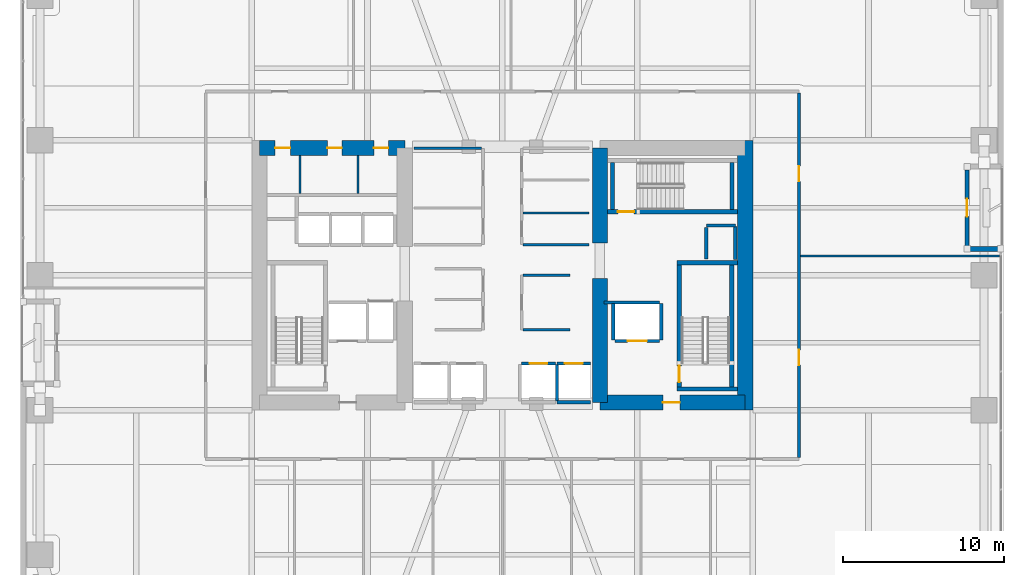
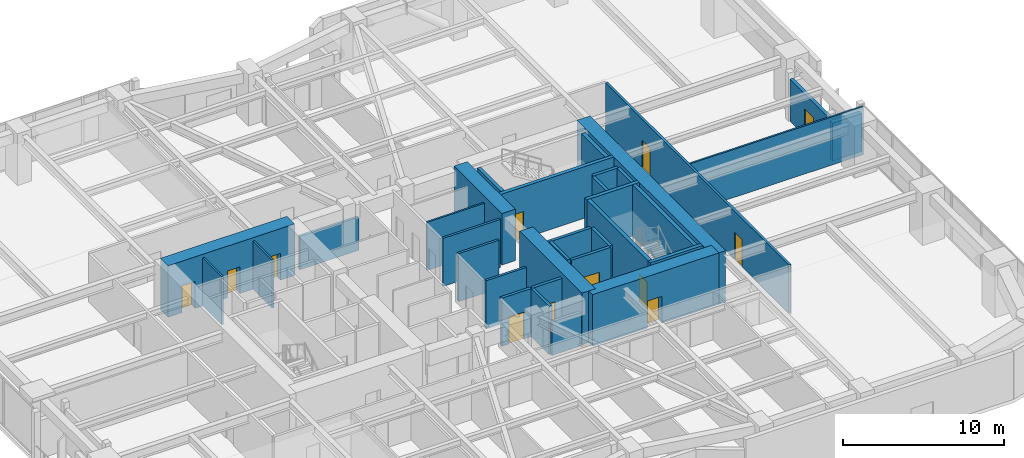
# One storey, part 24 of 28: 34 walls, 12 doors, 12 openings.
"""IFC4 building model written with IfcOpenShell, lengths in metres."""

from ifc_helpers import new_model, si_unit, direction, frame, frame_2d, origin, place, context, subcontext, project, spatial, rectangle, extrude, material, layer, layer_set, type_object, element, fill, save


model = new_model("IFC4")

# Units and contexts
model_context = context("Model", 3, precision=1e-05, world=origin(), true_north=direction((0.0, 1.0)))
body_context = subcontext(model_context, "Body", "Model", "MODEL_VIEW")
ifc_project = project(units=[si_unit("LENGTHUNIT", "METRE"), si_unit("AREAUNIT", "SQUARE_METRE"), si_unit("VOLUMEUNIT", "CUBIC_METRE"), si_unit("PLANEANGLEUNIT", "RADIAN"), si_unit("MASSUNIT", "GRAM", prefix="KILO")], contexts=[model_context])

# Site, building, storey
site_placement = place(None, origin())
site = spatial("IfcSite", under=ifc_project, at=site_placement, CompositionType="ELEMENT")
building_placement = place(site_placement, origin())
building = spatial("IfcBuilding", under=site, at=building_placement, Name="Kiyonajd Concourse Tower", CompositionType="ELEMENT")
storey_placement = place(building_placement, frame((0.0, 0.0, 60.60009765625)))
storey = spatial("IfcBuildingStorey", under=building, at=storey_placement, Name="L16", CompositionType="ELEMENT", Elevation=60.60009765625)

# Wall, openings, doors
ifc_material_1 = material(Name="Concrete C80/95", Category="concrete")
ifc_layer_1 = layer(ifc_material_1, 0.949951171875)
ifc_layer_set_1 = layer_set([ifc_layer_1], Name="Concrete C80/95")
wall_type_1 = type_object("IfcWallType", Name="WL-CORE-950", PredefinedType="SHEAR", material=ifc_layer_set_1)
wall_1_placement = place(storey_placement, frame((32.875, 43.925048828125, 0.0), z_axis=(0.0, 0.0, 1.0), x_axis=(1.0, 0.0, 0.0)))
wall_1 = element("IfcWall", 1, at=wall_1_placement, inside=storey, type_object=wall_type_1, Name="L16 West Core North Shear Wall", PredefinedType="SHEAR", context=body_context, shape_type="SweptSolid", body=[
    extrude(rectangle(XDim=9.050048828125, YDim=0.949951171875, at=frame_2d((4.52490234375, 0.0))), origin(), (0.0, 0.0, 1.0), 3.89990234375),
])
opening_1_placement = place(wall_1_placement, frame((0.97509765625, 0.0, 0.0)))
opening_1 = element("IfcOpeningElement", 2, at=opening_1_placement, cuts=wall_1, Name="Opening DI1", PredefinedType="OPENING", context=body_context, shape_type="SweptSolid", body=[
    extrude(rectangle(XDim=0.949951171875, YDim=2.0400390625, at=frame_2d((0.47509765625, 1.02001953125))), frame((0.0, 0.48486328125, 0.0), z_axis=(0.0, -1.0, 0.0), x_axis=(1.0, 0.0, 0.0)), (0.0, 0.0, 1.0), 0.969970703125),
])
opening_2_placement = place(wall_1_placement, frame((4.22509765625, 0.0, 0.0)))
opening_2 = element("IfcOpeningElement", 3, at=opening_2_placement, cuts=wall_1, Name="Opening DI2", PredefinedType="OPENING", context=body_context, shape_type="SweptSolid", body=[
    extrude(rectangle(XDim=0.89990234375, YDim=2.02001953125, at=frame_2d((0.449951171875, 1.010009765625))), frame((0.0, 0.48486328125, 0.0), z_axis=(0.0, -1.0, 0.0), x_axis=(1.0, 0.0, 0.0)), (0.0, 0.0, 1.0), 0.969970703125),
])
opening_3_placement = place(wall_1_placement, frame((7.125, 0.0, 0.0)))
opening_3 = element("IfcOpeningElement", 4, at=opening_3_placement, cuts=wall_1, Name="Opening DI2", PredefinedType="OPENING", context=body_context, shape_type="SweptSolid", body=[
    extrude(rectangle(XDim=0.89990234375, YDim=2.02001953125, at=frame_2d((0.449951171875, 1.010009765625))), frame((0.0, 0.48486328125, 0.0), z_axis=(0.0, -1.0, 0.0), x_axis=(1.0, 0.0, 0.0)), (0.0, 0.0, 1.0), 0.969970703125),
])
ifc_material_2 = material(Name="Natural Oak Acoustic Timber Veneer", Category="wood")
door_type_1 = type_object("IfcDoorType", Name="DR-INT-900", OperationType="NOTDEFINED", PredefinedType="DOOR", material=ifc_material_2)
door_1_placement = place(opening_2_placement, origin())
door_1 = element("IfcDoor", 5, at=door_1_placement, inside=storey, type_object=door_type_1, Name="L16 Male Restroom Door", OperationType="SINGLE_SWING_RIGHT", OverallHeight=2.02001953125, OverallWidth=0.89990234375, PredefinedType="DOOR", context=body_context, shape_type="SweptSolid", body=[
    extrude(rectangle(XDim=0.89990234375, YDim=2.02001953125, at=frame_2d((0.449951171875, 1.010009765625))), frame((0.0, 0.02490234375, 0.0), z_axis=(0.0, -1.0, 0.0), x_axis=(1.0, 0.0, 0.0)), (0.0, 0.0, 1.0), 0.050048828125),
])
fill(opening_2, door_1)
door_2_placement = place(opening_3_placement, origin())
door_2 = element("IfcDoor", 6, at=door_2_placement, inside=storey, type_object=door_type_1, Name="L16 Female Restroom Door", OperationType="SINGLE_SWING_LEFT", OverallHeight=2.02001953125, OverallWidth=0.89990234375, PredefinedType="DOOR", context=body_context, shape_type="SweptSolid", body=[
    extrude(rectangle(XDim=0.89990234375, YDim=2.02001953125, at=frame_2d((0.449951171875, 1.010009765625))), frame((0.0, 0.02490234375, 0.0), z_axis=(0.0, -1.0, 0.0), x_axis=(1.0, 0.0, 0.0)), (0.0, 0.0, 1.0), 0.050048828125),
])
fill(opening_3, door_2)
door_type_2 = type_object("IfcDoorType", Name="DR-INT-950", OperationType="NOTDEFINED", PredefinedType="DOOR", material=ifc_material_2)
door_3_placement = place(opening_1_placement, origin())
door_3 = element("IfcDoor", 7, at=door_3_placement, inside=storey, type_object=door_type_2, Name="L16 Single User Accessible WC Door", OperationType="SINGLE_SWING_LEFT", OverallHeight=2.0400390625, OverallWidth=0.949951171875, PredefinedType="DOOR", context=body_context, shape_type="SweptSolid", body=[
    extrude(rectangle(XDim=0.949951171875, YDim=2.0400390625, at=frame_2d((0.47509765625, 1.02001953125))), frame((0.0, 0.02490234375, 0.0), z_axis=(0.0, -1.0, 0.0), x_axis=(1.0, 0.0, 0.0)), (0.0, 0.0, 1.0), 0.050048828125),
])
fill(opening_1, door_3)

# Walls
wall_2_placement = place(storey_placement, frame((54.074951171875, 28.074951171875, 0.0), z_axis=(0.0, 0.0, 1.0), x_axis=(0.0, 1.0, 0.0)))
element("IfcWall", 8, at=wall_2_placement, inside=storey, type_object=wall_type_1, Name="L16 East Core Inner South Shear Wall", PredefinedType="SHEAR", context=body_context, shape_type="SweptSolid", body=[
    extrude(rectangle(XDim=7.72509765625, YDim=0.949951171875, at=frame_2d((3.862548828125, 0.0))), origin(), (0.0, 0.0, 1.0), 3.89990234375),
])
wall_3_placement = place(storey_placement, frame((54.074951171875, 38.0, 0.0), z_axis=(0.0, 0.0, 1.0), x_axis=(0.0, 1.0, 0.0)))
element("IfcWall", 9, at=wall_3_placement, inside=storey, type_object=wall_type_1, Name="L16 East Core Inner North Shear Wall", PredefinedType="SHEAR", context=body_context, shape_type="SweptSolid", body=[
    extrude(rectangle(XDim=5.925048828125, YDim=0.949951171875, at=frame_2d((2.96240234375, 0.0))), origin(), (0.0, 0.0, 1.0), 3.89990234375),
])
wall_4_placement = place(storey_placement, frame((63.125, 27.60009765625, 0.0), z_axis=(0.0, 0.0, 1.0), x_axis=(0.0, 1.0, 0.0)))
element("IfcWall", 10, at=wall_4_placement, inside=storey, type_object=wall_type_1, Name="L16 East Core Outer Shear Wall", PredefinedType="SHEAR", context=body_context, shape_type="SweptSolid", body=[
    extrude(rectangle(XDim=16.7998046875, YDim=0.949951171875, at=frame_2d((8.39990234375, 0.0))), origin(), (0.0, 0.0, 1.0), 3.89990234375),
])

# Wall, opening, door
wall_5_placement = place(storey_placement, frame((54.074951171875, 28.074951171875, 0.0), z_axis=(0.0, 0.0, 1.0), x_axis=(1.0, 0.0, 0.0)))
wall_5 = element("IfcWall", 11, at=wall_5_placement, inside=storey, type_object=wall_type_1, Name="L16 East Core South Shear Wall", PredefinedType="SHEAR", context=body_context, shape_type="SweptSolid", body=[
    extrude(rectangle(XDim=9.050048828125, YDim=0.949951171875, at=frame_2d((4.52490234375, 0.0))), origin(), (0.0, 0.0, 1.0), 3.89990234375),
])
opening_4_placement = place(wall_5_placement, frame((3.925048828125, 0.0, 0.0)))
opening_4 = element("IfcOpeningElement", 12, at=opening_4_placement, cuts=wall_5, Name="Opening DF5", PredefinedType="OPENING", context=body_context, shape_type="SweptSolid", body=[
    extrude(rectangle(XDim=1.050048828125, YDim=2.0400390625, at=frame_2d((0.52490234375, 1.02001953125))), frame((0.0, 0.48486328125, 0.0), z_axis=(0.0, -1.0, 0.0), x_axis=(1.0, 0.0, 0.0)), (0.0, 0.0, 1.0), 0.969970703125),
])
ifc_material_3 = material(Name="Brushed Stainless Steel Cab Assembly", Category="steel")
door_type_3 = type_object("IfcDoorType", Name="DR-FD45-1050", OperationType="NOTDEFINED", PredefinedType="DOOR", material=ifc_material_3)
door_4_placement = place(opening_4_placement, origin())
door_4 = element("IfcDoor", 13, at=door_4_placement, inside=storey, type_object=door_type_3, Name="L16 Firefighting Lift Lobby E Smoke Door", OperationType="SINGLE_SWING_RIGHT", OverallHeight=2.0400390625, OverallWidth=1.050048828125, PredefinedType="DOOR", context=body_context, shape_type="SweptSolid", body=[
    extrude(rectangle(XDim=1.050048828125, YDim=2.0400390625, at=frame_2d((0.52490234375, 1.02001953125))), frame((0.0, 0.02490234375, 0.0), z_axis=(0.0, -1.0, 0.0), x_axis=(1.0, 0.0, 0.0)), (0.0, 0.0, 1.0), 0.050048828125),
])
fill(opening_4, door_4)

# Wall
ifc_material_4 = material(Name="Precast concrete C50/60", Category="concrete")
ifc_layer_2 = layer(ifc_material_4, 0.320068359375)
ifc_layer_set_2 = layer_set([ifc_layer_2], Name="Precast concrete C50/60")
wall_type_2 = type_object("IfcWallType", Name="WL-EXT-320", PredefinedType="SOLIDWALL", material=ifc_layer_set_2)
wall_6_placement = place(storey_placement, frame((76.93994140625, 37.639892578125, 0.0), z_axis=(0.0, 0.0, 1.0), x_axis=(1.0, 0.0, 0.0)))
element("IfcWall", 14, at=wall_6_placement, inside=storey, type_object=wall_type_2, Name="L16 Exterior Concrete Frame Wall 23", PredefinedType="SOLIDWALL", context=body_context, shape_type="SweptSolid", body=[
    extrude(rectangle(XDim=2.10009765625, YDim=0.320068359375, at=frame_2d((1.050048828125, 0.0))), origin(), (0.0, 0.0, 1.0), 2.875),
])

# Wall, opening, door
ifc_layer_3 = layer(ifc_material_4, 0.239990234375)
ifc_layer_set_3 = layer_set([ifc_layer_3], Name="Precast concrete C50/60")
wall_type_3 = type_object("IfcWallType", Name="WL-LOG-240", PredefinedType="SOLIDWALL", material=ifc_layer_set_3)
wall_7_placement = place(storey_placement, frame((76.93994140625, 42.56494140625, 0.0), z_axis=(0.0, 0.0, 1.0), x_axis=(0.0, -1.0, 0.0)))
wall_7 = element("IfcWall", 15, at=wall_7_placement, inside=storey, type_object=wall_type_3, Name="L16 Recessed Loggia Thermal Wall LOG-E", PredefinedType="SOLIDWALL", context=body_context, shape_type="SweptSolid", body=[
    extrude(rectangle(XDim=4.72998046875, YDim=0.239990234375, at=frame_2d((2.364990234375, 0.0))), origin(), (0.0, 0.0, 1.0), 3.161865234375),
])
opening_5_placement = place(wall_7_placement, frame((1.81494140625, 0.0, 0.0)))
opening_5 = element("IfcOpeningElement", 16, at=opening_5_placement, cuts=wall_7, Name="Opening DL2", PredefinedType="OPENING", context=body_context, shape_type="SweptSolid", body=[
    extrude(rectangle(XDim=1.10009765625, YDim=2.0400390625, at=frame_2d((0.550048828125, 1.02001953125))), frame((0.0, 0.1298828125, 0.0), z_axis=(0.0, -1.0, 0.0), x_axis=(1.0, 0.0, 0.0)), (0.0, 0.0, 1.0), 0.260009765625),
])
ifc_material_5 = material(Name="Thermally Broken Anodised Aluminium", Category="aluminium")
door_type_4 = type_object("IfcDoorType", Name="DR-LOG-1100", OperationType="NOTDEFINED", PredefinedType="DOOR", material=ifc_material_5)
door_5_placement = place(opening_5_placement, origin())
door_5 = element("IfcDoor", 17, at=door_5_placement, inside=storey, type_object=door_type_4, Name="L16 Engawa Loggia Access Door LOG-E", OperationType="SINGLE_SWING_LEFT", OverallHeight=2.0400390625, OverallWidth=1.10009765625, PredefinedType="DOOR", context=body_context, shape_type="SweptSolid", body=[
    extrude(rectangle(XDim=1.10009765625, YDim=2.0400390625, at=frame_2d((0.550048828125, 1.02001953125))), frame((0.0, 0.02490234375, 0.0), z_axis=(0.0, -1.0, 0.0), x_axis=(1.0, 0.0, 0.0)), (0.0, 0.0, 1.0), 0.050048828125),
])
fill(opening_5, door_5)

# Walls
ifc_material_6 = material(Name="Gypsum Board on Cold-Formed Steel Stud", Category="steel")
ifc_layer_4 = layer(ifc_material_6, 0.125)
ifc_layer_set_4 = layer_set([ifc_layer_4], Name="Gypsum Board on Cold-Formed Steel Stud")
wall_type_4 = type_object("IfcWallType", Name="WL-PART-125", PredefinedType="PARTITIONING", material=ifc_layer_set_4)
for number, where, z_axis, x_axis, name in (
    (18, (35.39990234375, 41.094970703125, 0.0), (0.0, 0.0, 1.0), (0.0, 1.0, 0.0), "L16 Interior Partition Wall"),
    (19, (39.0, 41.094970703125, 0.0), (0.0, 0.0, 1.0), (0.0, 1.0, 0.0), "L16 Interior Partition Wall"),
):
    element("IfcWall", number, at=place(storey_placement, frame(where, z_axis=z_axis, x_axis=x_axis)), inside=storey, type_object=wall_type_4, Name=name, PredefinedType="PARTITIONING", context=body_context, shape_type="SweptSolid", body=[
        extrude(rectangle(XDim=2.35498046875, YDim=0.125, at=frame_2d((1.177490234375, 0.0))), origin(), (0.0, 0.0, 1.0), 3.639892578125),
    ])
wall_8_placement = place(storey_placement, frame((49.287109375, 39.8798828125, 0.0), z_axis=(0.0, 0.0, 1.0), x_axis=(1.0, 0.0, 0.0)))
element("IfcWall", 20, at=wall_8_placement, inside=storey, type_object=wall_type_4, Name="L16 Interior Partition Wall", PredefinedType="PARTITIONING", context=body_context, shape_type="SweptSolid", body=[
    extrude(rectangle(XDim=4.11279296875, YDim=0.125, at=frame_2d((2.056396484375, 0.0))), origin(), (0.0, 0.0, 1.0), 3.639892578125),
])
wall_9_placement = place(storey_placement, frame((66.56201171875, 37.199951171875, 0.0), z_axis=(0.0, 0.0, 1.0), x_axis=(1.0, 0.0, 0.0)))
element("IfcWall", 21, at=wall_9_placement, inside=storey, type_object=wall_type_4, Name="L16 Interior Partition Wall", PredefinedType="PARTITIONING", context=body_context, shape_type="SweptSolid", body=[
    extrude(rectangle(XDim=12.39306640625, YDim=0.125, at=frame_2d((6.196533203125, 0.0))), origin(), (0.0, 0.0, 1.0), 3.639892578125),
])
ifc_layer_5 = layer(ifc_material_6, 0.2099609375)
ifc_layer_set_5 = layer_set([ifc_layer_5], Name="Gypsum Board on Cold-Formed Steel Stud")
wall_type_5 = type_object("IfcWallType", Name="WL-SHAFT-210", PredefinedType="PARTITIONING", material=ifc_layer_set_5)
wall_10_placement = place(storey_placement, frame((60.719970703125, 39.10009765625, 0.0), z_axis=(0.0, 0.0, 1.0), x_axis=(1.0, 0.0, 0.0)))
element("IfcWall", 22, at=wall_10_placement, inside=storey, type_object=wall_type_5, Name="L16 Shaft Enclosure Wall", PredefinedType="PARTITIONING", context=body_context, shape_type="SweptSolid", body=[
    extrude(rectangle(XDim=1.800048828125, YDim=0.2099609375, at=frame_2d((0.89990234375, 0.0))), origin(), (0.0, 0.0, 1.0), 3.639892578125),
])
wall_11_placement = place(storey_placement, frame((60.699951171875, 37.02001953125, 0.0), z_axis=(0.0, 0.0, 1.0), x_axis=(0.0, 1.0, 0.0)))
element("IfcWall", 23, at=wall_11_placement, inside=storey, type_object=wall_type_5, Name="L16 Shaft Enclosure Wall", PredefinedType="PARTITIONING", context=body_context, shape_type="SweptSolid", body=[
    extrude(rectangle(XDim=1.9599609375, YDim=0.2099609375, at=frame_2d((0.97998046875, 0.0))), origin(), (0.0, 0.0, 1.0), 3.639892578125),
])
wall_12_placement = place(storey_placement, frame((62.5, 36.97998046875, 0.0), z_axis=(0.0, 0.0, 1.0), x_axis=(0.0, 1.0, 0.0)))
element("IfcWall", 24, at=wall_12_placement, inside=storey, type_object=wall_type_5, Name="L16 Shaft Enclosure Wall", PredefinedType="PARTITIONING", context=body_context, shape_type="SweptSolid", body=[
    extrude(rectangle(XDim=2.0400390625, YDim=0.2099609375, at=frame_2d((1.02001953125, 0.0))), origin(), (0.0, 0.0, 1.0), 3.639892578125),
])

# Wall, opening, door
wall_13_placement = place(storey_placement, frame((55.0, 31.89990234375, 0.0), z_axis=(0.0, 0.0, 1.0), x_axis=(1.0, 0.0, 0.0)))
wall_13 = element("IfcWall", 25, at=wall_13_placement, inside=storey, type_object=wall_type_5, Name="L16 Shaft Enclosure Wall", PredefinedType="PARTITIONING", context=body_context, shape_type="SweptSolid", body=[
    extrude(rectangle(XDim=2.800048828125, YDim=0.2099609375, at=frame_2d((1.39990234375, 0.0))), origin(), (0.0, 0.0, 1.0), 3.639892578125),
])
opening_6_placement = place(wall_13_placement, frame((0.800048828125, 0.0, 0.0)))
opening_6 = element("IfcOpeningElement", 26, at=opening_6_placement, cuts=wall_13, Name="Opening LD2", PredefinedType="OPENING", context=body_context, shape_type="SweptSolid", body=[
    extrude(rectangle(XDim=1.199951171875, YDim=2.0400390625, at=frame_2d((0.60009765625, 1.02001953125))), frame((0.0, 0.114990234375, 0.0), z_axis=(0.0, -1.0, 0.0), x_axis=(1.0, 0.0, 0.0)), (0.0, 0.0, 1.0), 0.22998046875),
])
door_type_5 = type_object("IfcDoorType", Name="DR-LD-1200", OperationType="DOUBLE_DOOR_SLIDING", PredefinedType="DOOR", material=ifc_material_3)
door_6_placement = place(opening_6_placement, origin())
door_6 = element("IfcDoor", 27, at=door_6_placement, inside=storey, type_object=door_type_5, Name="L16 Lift FFL2 Sliding Landing Door", OperationType="DOUBLE_DOOR_SLIDING", OverallHeight=2.0400390625, OverallWidth=1.199951171875, PredefinedType="DOOR", context=body_context, shape_type="SweptSolid", body=[
    extrude(rectangle(XDim=1.199951171875, YDim=2.0400390625, at=frame_2d((0.60009765625, 1.02001953125))), frame((0.0, 0.02490234375, 0.0), z_axis=(0.0, -1.0, 0.0), x_axis=(1.0, 0.0, 0.0)), (0.0, 0.0, 1.0), 0.050048828125),
])
fill(opening_6, door_6)

# Walls
wall_14_placement = place(storey_placement, frame((54.320068359375, 34.300048828125, 0.0), z_axis=(0.0, 0.0, 1.0), x_axis=(1.0, 0.0, 0.0)))
element("IfcWall", 28, at=wall_14_placement, inside=storey, type_object=wall_type_5, Name="L16 Shaft Enclosure Wall", PredefinedType="PARTITIONING", context=body_context, shape_type="SweptSolid", body=[
    extrude(rectangle(XDim=3.47998046875, YDim=0.2099609375, at=frame_2d((1.739990234375, 0.0))), origin(), (0.0, 0.0, 1.0), 3.639892578125),
])
for number, where, z_axis, x_axis, name in (
    (29, (54.89990234375, 31.9599609375, 0.0), (0.0, 0.0, 1.0), (0.0, 1.0, 0.0), "L16 Shaft Enclosure Wall"),
    (30, (57.89990234375, 31.9599609375, 0.0), (0.0, 0.0, 1.0), (0.0, 1.0, 0.0), "L16 Shaft Enclosure Wall"),
):
    element("IfcWall", number, at=place(storey_placement, frame(where, z_axis=z_axis, x_axis=x_axis)), inside=storey, type_object=wall_type_5, Name=name, PredefinedType="PARTITIONING", context=body_context, shape_type="SweptSolid", body=[
        extrude(rectangle(XDim=2.280029296875, YDim=0.2099609375, at=frame_2d((1.14013671875, 0.0))), origin(), (0.0, 0.0, 1.0), 3.639892578125),
    ])

# Wall, opening, door
wall_15_placement = place(storey_placement, frame((49.199951171875, 30.5, 0.0), z_axis=(0.0, 0.0, 1.0), x_axis=(1.0, 0.0, 0.0)))
wall_15 = element("IfcWall", 31, at=wall_15_placement, inside=storey, type_object=wall_type_5, Name="L16 Shaft Enclosure Wall", PredefinedType="PARTITIONING", context=body_context, shape_type="SweptSolid", body=[
    extrude(rectangle(XDim=2.10009765625, YDim=0.2099609375, at=frame_2d((1.050048828125, 0.0))), origin(), (0.0, 0.0, 1.0), 3.639892578125),
])
opening_7_placement = place(wall_15_placement, frame((0.5, 0.0, 0.0)))
opening_7 = element("IfcOpeningElement", 32, at=opening_7_placement, cuts=wall_15, Name="Opening LD1", PredefinedType="OPENING", context=body_context, shape_type="SweptSolid", body=[
    extrude(rectangle(XDim=1.10009765625, YDim=2.0400390625, at=frame_2d((0.550048828125, 1.02001953125))), frame((0.0, 0.114990234375, 0.0), z_axis=(0.0, -1.0, 0.0), x_axis=(1.0, 0.0, 0.0)), (0.0, 0.0, 1.0), 0.22998046875),
])
door_type_6 = type_object("IfcDoorType", Name="DR-LD-1100", OperationType="DOUBLE_DOOR_SLIDING", PredefinedType="DOOR", material=ifc_material_3)
door_7_placement = place(opening_7_placement, origin())
door_7 = element("IfcDoor", 33, at=door_7_placement, inside=storey, type_object=door_type_6, Name="L16 Lift PL-L3 Sliding Landing Door", OperationType="DOUBLE_DOOR_SLIDING", OverallHeight=2.0400390625, OverallWidth=1.10009765625, PredefinedType="DOOR", context=body_context, shape_type="SweptSolid", body=[
    extrude(rectangle(XDim=1.10009765625, YDim=2.0400390625, at=frame_2d((0.550048828125, 1.02001953125))), frame((0.0, 0.02490234375, 0.0), z_axis=(0.0, -1.0, 0.0), x_axis=(1.0, 0.0, 0.0)), (0.0, 0.0, 1.0), 0.050048828125),
])
fill(opening_7, door_7)

# Wall
wall_16_placement = place(storey_placement, frame((51.39990234375, 28.159912109375, 0.0), z_axis=(0.0, 0.0, 1.0), x_axis=(0.0, 1.0, 0.0)))
element("IfcWall", 34, at=wall_16_placement, inside=storey, type_object=wall_type_5, Name="L16 Shaft Enclosure Wall", PredefinedType="PARTITIONING", context=body_context, shape_type="SweptSolid", body=[
    extrude(rectangle(XDim=2.280029296875, YDim=0.2099609375, at=frame_2d((1.14013671875, 0.0))), origin(), (0.0, 0.0, 1.0), 3.639892578125),
])

# Wall, opening, door
wall_17_placement = place(storey_placement, frame((51.39990234375, 30.5, 0.0), z_axis=(0.0, 0.0, 1.0), x_axis=(1.0, 0.0, 0.0)))
wall_17 = element("IfcWall", 35, at=wall_17_placement, inside=storey, type_object=wall_type_5, Name="L16 Shaft Enclosure Wall", PredefinedType="PARTITIONING", context=body_context, shape_type="SweptSolid", body=[
    extrude(rectangle(XDim=2.10009765625, YDim=0.2099609375, at=frame_2d((1.050048828125, 0.0))), origin(), (0.0, 0.0, 1.0), 3.639892578125),
])
opening_8_placement = place(wall_17_placement, frame((0.5, 0.0, 0.0)))
opening_8 = element("IfcOpeningElement", 36, at=opening_8_placement, cuts=wall_17, Name="Opening LD1", PredefinedType="OPENING", context=body_context, shape_type="SweptSolid", body=[
    extrude(rectangle(XDim=1.10009765625, YDim=2.0400390625, at=frame_2d((0.550048828125, 1.02001953125))), frame((0.0, 0.114990234375, 0.0), z_axis=(0.0, -1.0, 0.0), x_axis=(1.0, 0.0, 0.0)), (0.0, 0.0, 1.0), 0.22998046875),
])
door_8_placement = place(opening_8_placement, origin())
door_8 = element("IfcDoor", 37, at=door_8_placement, inside=storey, type_object=door_type_6, Name="L16 Lift PL-L4 Sliding Landing Door", OperationType="DOUBLE_DOOR_SLIDING", OverallHeight=2.0400390625, OverallWidth=1.10009765625, PredefinedType="DOOR", context=body_context, shape_type="SweptSolid", body=[
    extrude(rectangle(XDim=1.10009765625, YDim=2.0400390625, at=frame_2d((0.550048828125, 1.02001953125))), frame((0.0, 0.02490234375, 0.0), z_axis=(0.0, -1.0, 0.0), x_axis=(1.0, 0.0, 0.0)), (0.0, 0.0, 1.0), 0.050048828125),
])
fill(opening_8, door_8)

# Walls
wall_18_placement = place(storey_placement, frame((51.39990234375, 28.10009765625, 0.0), z_axis=(0.0, 0.0, 1.0), x_axis=(1.0, 0.0, 0.0)))
element("IfcWall", 38, at=wall_18_placement, inside=storey, type_object=wall_type_5, Name="L16 Shaft Enclosure Wall", PredefinedType="PARTITIONING", context=body_context, shape_type="SweptSolid", body=[
    extrude(rectangle(XDim=2.10009765625, YDim=0.2099609375, at=frame_2d((1.050048828125, 0.0))), origin(), (0.0, 0.0, 1.0), 2.52490234375),
])
ifc_layer_6 = layer(ifc_material_6, 0.169921875)
ifc_layer_set_6 = layer_set([ifc_layer_6], Name="Gypsum Board on Cold-Formed Steel Stud")
wall_type_6 = type_object("IfcWallType", Name="WL-SMK-170", PredefinedType="PARTITIONING", material=ifc_layer_set_6)
for number, where, z_axis, x_axis, name in (
    (39, (49.287109375, 32.60009765625, 0.0), (0.0, 0.0, 1.0), (1.0, 0.0, 0.0), "L16 Interior Partition Wall"),
    (40, (49.287109375, 36.0, 0.0), (0.0, 0.0, 1.0), (1.0, 0.0, 0.0), "L16 Interior Partition Wall"),
):
    element("IfcWall", number, at=place(storey_placement, frame(where, z_axis=z_axis, x_axis=x_axis)), inside=storey, type_object=wall_type_6, Name=name, PredefinedType="PARTITIONING", context=body_context, shape_type="SweptSolid", body=[
        extrude(rectangle(XDim=2.912841796875, YDim=0.169921875, at=frame_2d((1.45654296875, 0.0))), origin(), (0.0, 0.0, 1.0), 3.639892578125),
    ])
wall_19_placement = place(storey_placement, frame((42.5, 43.89990234375, 0.0), z_axis=(0.0, 0.0, 1.0), x_axis=(1.0, 0.0, 0.0)))
element("IfcWall", 41, at=wall_19_placement, inside=storey, type_object=wall_type_6, Name="L16 Interior Partition Wall", PredefinedType="PARTITIONING", context=body_context, shape_type="SweptSolid", body=[
    extrude(rectangle(XDim=4.212890625, YDim=0.169921875, at=frame_2d((2.1064453125, 0.0))), origin(), (0.0, 0.0, 1.0), 2.52490234375),
])
wall_20_placement = place(storey_placement, frame((49.287109375, 37.89990234375, 0.0), z_axis=(0.0, 0.0, 1.0), x_axis=(1.0, 0.0, 0.0)))
element("IfcWall", 42, at=wall_20_placement, inside=storey, type_object=wall_type_6, Name="L16 Interior Partition Wall", PredefinedType="PARTITIONING", context=body_context, shape_type="SweptSolid", body=[
    extrude(rectangle(XDim=4.11279296875, YDim=0.169921875, at=frame_2d((2.056396484375, 0.0))), origin(), (0.0, 0.0, 1.0), 3.639892578125),
])

# Wall, openings, doors
wall_21_placement = place(storey_placement, frame((66.47509765625, 24.64697265625, 0.0), z_axis=(0.0, 0.0, 1.0), x_axis=(0.0, 1.0, 0.0)))
wall_21 = element("IfcWall", 43, at=wall_21_placement, inside=storey, type_object=wall_type_6, Name="L16 Interior Partition Wall", PredefinedType="PARTITIONING", context=body_context, shape_type="SweptSolid", body=[
    extrude(rectangle(XDim=22.7060546875, YDim=0.169921875, at=frame_2d((11.35302734375, 0.0))), origin(), (0.0, 0.0, 1.0), 3.639892578125),
])
opening_9_placement = place(wall_21_placement, frame((5.758056640625, 0.0, 0.0)))
opening_9 = element("IfcOpeningElement", 44, at=opening_9_placement, cuts=wall_21, Name="Opening DI1", PredefinedType="OPENING", context=body_context, shape_type="SweptSolid", body=[
    extrude(rectangle(XDim=0.949951171875, YDim=2.0400390625, at=frame_2d((0.47509765625, 1.02001953125))), frame((0.0, 0.094970703125, 0.0), z_axis=(0.0, -1.0, 0.0), x_axis=(1.0, 0.0, 0.0)), (0.0, 0.0, 1.0), 0.18994140625),
])
opening_10_placement = place(wall_21_placement, frame((17.197998046875, 0.0, 0.0)))
opening_10 = element("IfcOpeningElement", 45, at=opening_10_placement, cuts=wall_21, Name="Opening DI1", PredefinedType="OPENING", context=body_context, shape_type="SweptSolid", body=[
    extrude(rectangle(XDim=0.949951171875, YDim=2.0400390625, at=frame_2d((0.47509765625, 1.02001953125))), frame((0.0, 0.094970703125, 0.0), z_axis=(0.0, -1.0, 0.0), x_axis=(1.0, 0.0, 0.0)), (0.0, 0.0, 1.0), 0.18994140625),
])
door_9_placement = place(opening_9_placement, origin())
door_9 = element("IfcDoor", 46, at=door_9_placement, inside=storey, type_object=door_type_2, Name="L16 Interior Door", OperationType="SINGLE_SWING_LEFT", OverallHeight=2.0400390625, OverallWidth=0.949951171875, PredefinedType="DOOR", context=body_context, shape_type="SweptSolid", body=[
    extrude(rectangle(XDim=0.949951171875, YDim=2.0400390625, at=frame_2d((0.47509765625, 1.02001953125))), frame((0.0, 0.02490234375, 0.0), z_axis=(0.0, -1.0, 0.0), x_axis=(1.0, 0.0, 0.0)), (0.0, 0.0, 1.0), 0.050048828125),
])
fill(opening_9, door_9)
door_10_placement = place(opening_10_placement, origin())
door_10 = element("IfcDoor", 47, at=door_10_placement, inside=storey, type_object=door_type_2, Name="L16 Interior Door", OperationType="SINGLE_SWING_RIGHT", OverallHeight=2.0400390625, OverallWidth=0.949951171875, PredefinedType="DOOR", context=body_context, shape_type="SweptSolid", body=[
    extrude(rectangle(XDim=0.949951171875, YDim=2.0400390625, at=frame_2d((0.47509765625, 1.02001953125))), frame((0.0, 0.02490234375, 0.0), z_axis=(0.0, -1.0, 0.0), x_axis=(1.0, 0.0, 0.0)), (0.0, 0.0, 1.0), 0.050048828125),
])
fill(opening_10, door_10)

# Walls
ifc_material_7 = material(Name="Concrete C50/60", Category="concrete")
ifc_layer_7 = layer(ifc_material_7, 0.260009765625)
ifc_layer_set_7 = layer_set([ifc_layer_7], Name="Concrete C50/60")
wall_type_7 = type_object("IfcWallType", Name="WL-STAIR-260", PredefinedType="SHEAR", material=ifc_layer_set_7)
for number, where, z_axis, x_axis, name in (
    (48, (58.889892578125, 28.919921875, 0.0), (0.0, 0.0, 1.0), (1.0, 0.0, 0.0), "L16 Stair ST2 Structural South Wall"),
    (49, (58.889892578125, 36.780029296875, 0.0), (0.0, 0.0, 1.0), (1.0, 0.0, 0.0), "L16 Stair ST2 Structural North Wall"),
):
    element("IfcWall", number, at=place(storey_placement, frame(where, z_axis=z_axis, x_axis=x_axis)), inside=storey, type_object=wall_type_7, Name=name, PredefinedType="SHEAR", context=body_context, shape_type="SweptSolid", body=[
        extrude(rectangle(XDim=3.760009765625, YDim=0.260009765625, at=frame_2d((1.8798828125, 0.0))), origin(), (0.0, 0.0, 1.0), 3.89990234375),
    ])

# Wall, opening, door
wall_22_placement = place(storey_placement, frame((59.02001953125, 29.050048828125, 0.0), z_axis=(0.0, 0.0, 1.0), x_axis=(0.0, 1.0, 0.0)))
wall_22 = element("IfcWall", 50, at=wall_22_placement, inside=storey, type_object=wall_type_7, Name="L16 Stair ST2 Structural West Wall", PredefinedType="SHEAR", context=body_context, shape_type="SweptSolid", body=[
    extrude(rectangle(XDim=7.599853515625, YDim=0.260009765625, at=frame_2d((3.7998046875, 0.0))), origin(), (0.0, 0.0, 1.0), 3.89990234375),
])
opening_11_placement = place(wall_22_placement, frame((0.300048828125, 0.0, 0.0)))
opening_11 = element("IfcOpeningElement", 51, at=opening_11_placement, cuts=wall_22, Name="Opening DF1", PredefinedType="OPENING", context=body_context, shape_type="SweptSolid", body=[
    extrude(rectangle(XDim=1.0, YDim=2.0400390625, at=frame_2d((0.5, 1.02001953125))), frame((0.0, 0.139892578125, 0.0), z_axis=(0.0, -1.0, 0.0), x_axis=(1.0, 0.0, 0.0)), (0.0, 0.0, 1.0), 0.280029296875),
])
door_type_7 = type_object("IfcDoorType", Name="DR-FD90-1000", OperationType="NOTDEFINED", PredefinedType="DOOR", material=ifc_material_3)
door_11_placement = place(opening_11_placement, origin())
door_11 = element("IfcDoor", 52, at=door_11_placement, inside=storey, type_object=door_type_7, Name="L16 Stair ST2 FSAE Door", OperationType="SINGLE_SWING_RIGHT", OverallHeight=2.0400390625, OverallWidth=1.0, PredefinedType="DOOR", context=body_context, shape_type="SweptSolid", body=[
    extrude(rectangle(XDim=1.0, YDim=2.0400390625, at=frame_2d((0.5, 1.02001953125))), frame((0.0, 0.02490234375, 0.0), z_axis=(0.0, -1.0, 0.0), x_axis=(1.0, 0.0, 0.0)), (0.0, 0.0, 1.0), 0.050048828125),
])
fill(opening_11, door_11)

# Wall
wall_23_placement = place(storey_placement, frame((62.280029296875, 29.050048828125, 0.0), z_axis=(0.0, 0.0, 1.0), x_axis=(0.0, 1.0, 0.0)))
element("IfcWall", 53, at=wall_23_placement, inside=storey, type_object=wall_type_7, Name="L16 Stair ST2 Structural East Wall", PredefinedType="SHEAR", context=body_context, shape_type="SweptSolid", body=[
    extrude(rectangle(XDim=7.599853515625, YDim=0.260009765625, at=frame_2d((3.7998046875, 0.0))), origin(), (0.0, 0.0, 1.0), 3.89990234375),
])

# Wall, opening, door
wall_24_placement = place(storey_placement, frame((54.550048828125, 39.949951171875, 0.0), z_axis=(0.0, 0.0, 1.0), x_axis=(1.0, 0.0, 0.0)))
wall_24 = element("IfcWall", 54, at=wall_24_placement, inside=storey, type_object=wall_type_7, Name="L16 Stair ST3 Structural South Wall", PredefinedType="SHEAR", context=body_context, shape_type="SweptSolid", body=[
    extrude(rectangle(XDim=8.099853515625, YDim=0.260009765625, at=frame_2d((4.0498046875, 0.0))), origin(), (0.0, 0.0, 1.0), 3.89990234375),
])
opening_12_placement = place(wall_24_placement, frame((0.64990234375, 0.0, 0.0)))
opening_12 = element("IfcOpeningElement", 55, at=opening_12_placement, cuts=wall_24, Name="Opening DF1", PredefinedType="OPENING", context=body_context, shape_type="SweptSolid", body=[
    extrude(rectangle(XDim=1.0, YDim=2.0400390625, at=frame_2d((0.5, 1.02001953125))), frame((0.0, 0.139892578125, 0.0), z_axis=(0.0, -1.0, 0.0), x_axis=(1.0, 0.0, 0.0)), (0.0, 0.0, 1.0), 0.280029296875),
])
door_12_placement = place(opening_12_placement, origin())
door_12 = element("IfcDoor", 56, at=door_12_placement, inside=storey, type_object=door_type_7, Name="L16 Stair ST3 Enclosure Door", OperationType="SINGLE_SWING_LEFT", OverallHeight=2.0400390625, OverallWidth=1.0, PredefinedType="DOOR", context=body_context, shape_type="SweptSolid", body=[
    extrude(rectangle(XDim=1.0, YDim=2.0400390625, at=frame_2d((0.5, 1.02001953125))), frame((0.0, 0.02490234375, 0.0), z_axis=(0.0, -1.0, 0.0), x_axis=(1.0, 0.0, 0.0)), (0.0, 0.0, 1.0), 0.050048828125),
])
fill(opening_12, door_12)

# Walls
for number, where, z_axis, x_axis, name in (
    (57, (54.85009765625, 40.080078125, 0.0), (0.0, 0.0, 1.0), (0.0, 1.0, 0.0), "L16 Stair ST3 Structural West Wall"),
    (58, (62.31005859375, 40.080078125, 0.0), (0.0, 0.0, 1.0), (0.0, 1.0, 0.0), "L16 Stair ST3 Structural East Wall"),
):
    element("IfcWall", number, at=place(storey_placement, frame(where, z_axis=z_axis, x_axis=x_axis)), inside=storey, type_object=wall_type_7, Name=name, PredefinedType="SHEAR", context=body_context, shape_type="SweptSolid", body=[
        extrude(rectangle(XDim=2.93994140625, YDim=0.260009765625, at=frame_2d((1.469970703125, 0.0))), origin(), (0.0, 0.0, 1.0), 3.89990234375),
    ])

save(model, "model.ifc")
